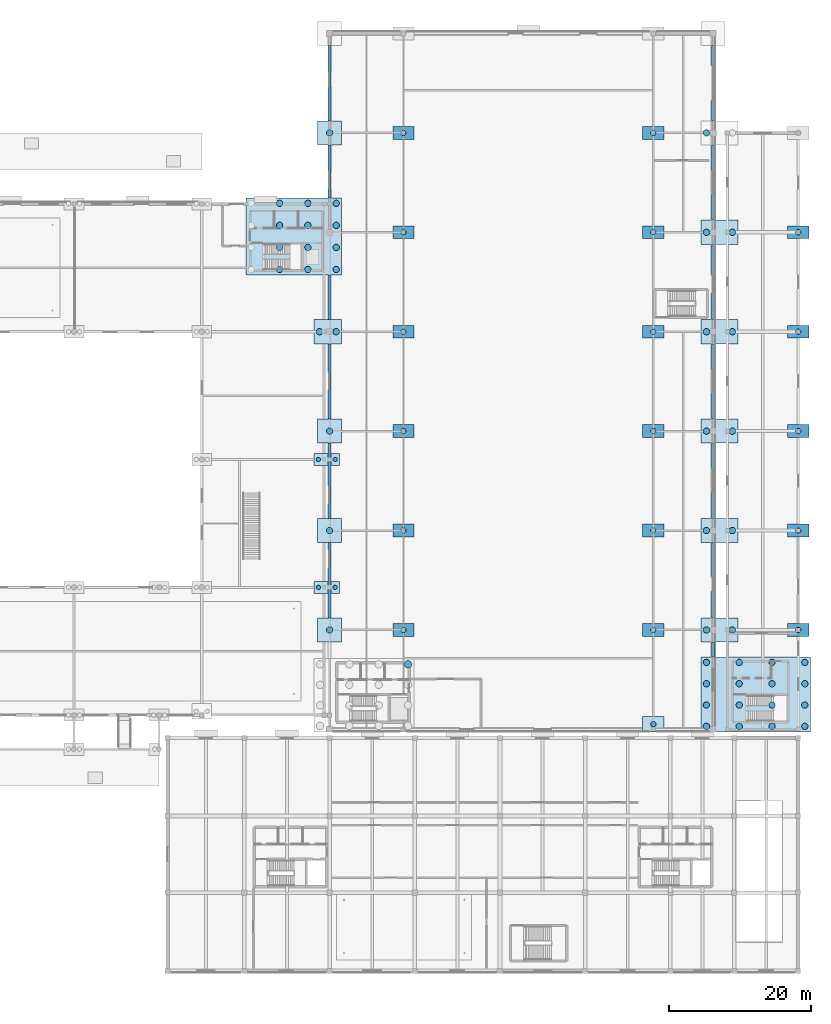
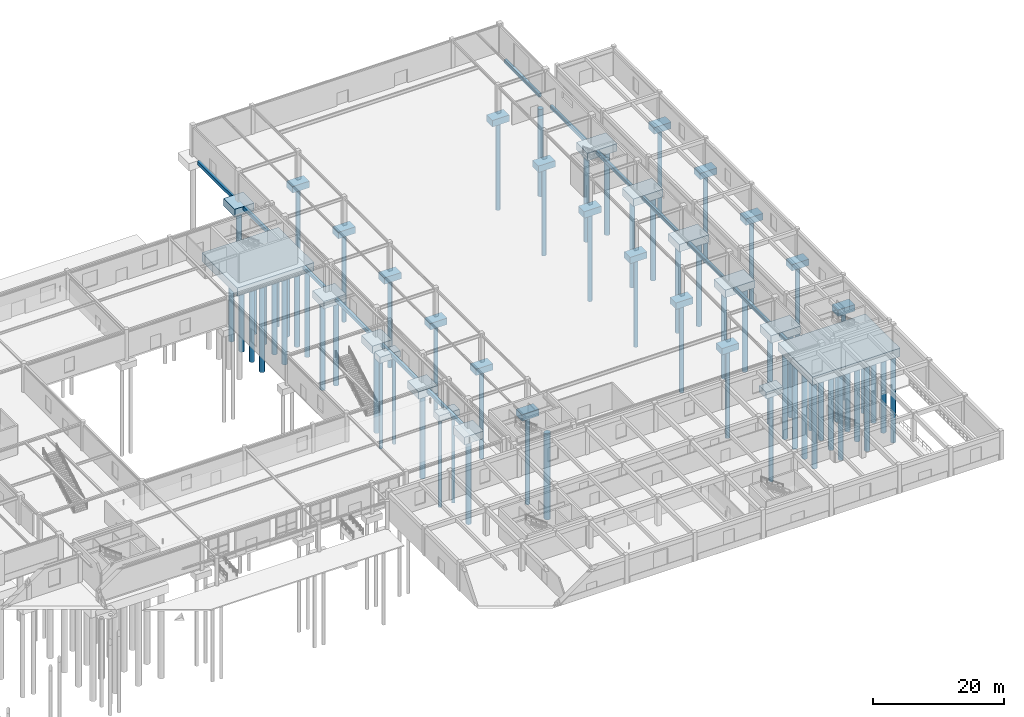
# One storey, part 4 of 53: 68 piles, 45 footings.
"""IFC4 building model written with IfcOpenShell, lengths in metres."""

import ifcopenshell
import ifcopenshell.guid

model = None  # the IFC model being written
_history = None  # IfcOwnerHistory: only IFC2X3 demands one
_inside = {}  # id of a spatial element -> (the spatial element, [elements in it])
_under = {}  # id of a project, library or spatial element -> (it, [spatial elements below it])
_declared = {}  # id of a project -> (the project, [libraries it declares])
_typed = {}  # id of a type object -> (the type object, [elements of that type])
_made_of = {}  # id of a material, layer set ... -> (it, [elements and type objects made of it])


def new_model(schema):
    """Start an empty IFC model of exactly this schema.

    Asked for "IFC4X3", IfcOpenShell would pick the latest addendum, in which some entities
    have other attributes; the version numbers below select the first issue.
    IFC2X3 requires an IfcOwnerHistory on every rooted entity: one is made here for all.
    """
    global model, _history
    if schema == "IFC4X3":
        model = ifcopenshell.file(schema_version=(4, 3, 0, 0))
    else:
        model = ifcopenshell.file(schema=schema)
    _inside.clear()
    _under.clear()
    _declared.clear()
    _typed.clear()
    _made_of.clear()
    _history = None
    if model.schema == "IFC2X3":
        org = make("IfcOrganization", Name="unknown")
        user = make(
            "IfcPersonAndOrganization",
            ThePerson=make("IfcPerson", FamilyName="unknown"),
            TheOrganization=org,
        )
        app = make(
            "IfcApplication",
            ApplicationDeveloper=org,
            Version="unknown",
            ApplicationFullName="unknown",
            ApplicationIdentifier="unknown",
        )
        _history = make(
            "IfcOwnerHistory",
            OwningUser=user,
            OwningApplication=app,
            ChangeAction="ADDED",
            CreationDate=0,
        )
    return model


def make(cls, **values):
    """One entity of the class cls with the attributes given. An attribute that is None is left unset."""
    return model.create_entity(
        cls, **{name: value for name, value in values.items() if value is not None}
    )


def rooted(cls, **values):
    """An entity with a GlobalId (a new one), such as an element, a storey or a relation."""
    return make(cls, GlobalId=ifcopenshell.guid.new(), OwnerHistory=_history, **values)


def si_unit(unit_type, name, prefix=None):
    """IfcSIUnit, for example si_unit("LENGTHUNIT", "METRE", prefix="MILLI")."""
    return make("IfcSIUnit", UnitType=unit_type, Prefix=prefix, Name=name)


def derived_unit(unit_type, elements):
    """IfcDerivedUnit: a product of units, each with its exponent."""
    return make(
        "IfcDerivedUnit",
        Elements=[
            make("IfcDerivedUnitElement", Unit=unit, Exponent=power)
            for unit, power in elements
        ],
        UnitType=unit_type,
    )


def assignment(units):
    """IfcUnitAssignment: the units of a project."""
    return None if units is None else make("IfcUnitAssignment", Units=units)


def point(xyz):
    """IfcCartesianPoint."""
    return None if xyz is None else make("IfcCartesianPoint", Coordinates=xyz)


def direction(xyz):
    """IfcDirection."""
    return None if xyz is None else make("IfcDirection", DirectionRatios=xyz)


def frame(location, z_axis=None, x_axis=None):
    """IfcAxis2Placement3D, a coordinate frame: its origin and axes. An axis left out is left unset."""
    return make(
        "IfcAxis2Placement3D",
        Location=point(location),
        Axis=direction(z_axis),
        RefDirection=direction(x_axis),
    )


def frame_2d(location, x_axis=None):
    """IfcAxis2Placement2D, a coordinate frame in the plane: its origin and x axis."""
    return make(
        "IfcAxis2Placement2D", Location=point(location), RefDirection=direction(x_axis)
    )


def origin():
    """The frame at (0, 0, 0) with its axes left unset."""
    return frame((0.0, 0.0, 0.0))


def origin_2d():
    """The frame at (0, 0) in the plane with its x axis left unset."""
    return frame_2d((0.0, 0.0))


def place(relative_to, where):
    """IfcLocalPlacement: puts the frame where relative to a parent placement (None: the world)."""
    return make(
        "IfcLocalPlacement", PlacementRelTo=relative_to, RelativePlacement=where
    )


def context(
    kind, dimensions, precision=None, world=None, true_north=None, identifier=None
):
    """IfcGeometricRepresentationContext, for example the 3D "Model" context."""
    return make(
        "IfcGeometricRepresentationContext",
        ContextIdentifier=identifier,
        ContextType=kind,
        CoordinateSpaceDimension=dimensions,
        Precision=precision,
        WorldCoordinateSystem=world,
        TrueNorth=true_north,
    )


def subcontext(parent, identifier, kind, view, scale=None):
    """IfcGeometricRepresentationSubContext, for example "Body" below "Model"."""
    return make(
        "IfcGeometricRepresentationSubContext",
        ContextIdentifier=identifier,
        ContextType=kind,
        ParentContext=parent,
        TargetScale=scale,
        TargetView=view,
    )


def project(units=None, contexts=None):
    """IfcProject with its units and contexts."""
    return rooted(
        "IfcProject",
        Name="project",
        RepresentationContexts=contexts,
        UnitsInContext=assignment(units),
    )


def spatial(cls, under=None, at=None, **own):
    """A site, building, storey or space (cls), placed at a placement, below another one or the project."""
    s = rooted(cls, ObjectPlacement=at, **own)
    if under is not None:
        _under.setdefault(under.id(), (under, []))[1].append(s)
    return s


def polyline(points):
    """IfcPolyline through the points."""
    return make("IfcPolyline", Points=[point(p) for p in points])


def profile(cls, at=None, kind="AREA", **sizes):
    """A parametric profile (cls). Its sizes go by their IFC names, for example OverallWidth=200.0."""
    return make(cls, ProfileType=kind, Position=at, **sizes)


def rectangle(**sizes):
    """IfcRectangleProfileDef."""
    return profile("IfcRectangleProfileDef", **sizes)


def circle(**sizes):
    """IfcCircleProfileDef."""
    return profile("IfcCircleProfileDef", **sizes)


def outline(outer, holes=None, kind="AREA"):
    """IfcArbitraryClosedProfileDef: a profile drawn as a closed curve; with holes, ...WithVoids."""
    if holes is None:
        return make("IfcArbitraryClosedProfileDef", ProfileType=kind, OuterCurve=outer)
    return make(
        "IfcArbitraryProfileDefWithVoids",
        ProfileType=kind,
        OuterCurve=outer,
        InnerCurves=holes,
    )


def extrude(swept, where, along, depth):
    """IfcExtrudedAreaSolid: the profile swept, set in the frame where, extruded along a direction by depth."""
    return make(
        "IfcExtrudedAreaSolid",
        SweptArea=swept,
        Position=where,
        ExtrudedDirection=direction(along),
        Depth=depth,
    )


def shape(context_of_items, identifier, shape_type, items):
    """IfcShapeRepresentation: the items that make up one representation, for example the "Body"."""
    return make(
        "IfcShapeRepresentation",
        ContextOfItems=context_of_items,
        RepresentationIdentifier=identifier,
        RepresentationType=shape_type,
        Items=items,
    )


def material(Name=None, Category=None):
    """IfcMaterial."""
    return make("IfcMaterial", Name=Name, Category=Category)


def layer(
    of_material, thickness, ventilated=None, Name=None, Category=None, Priority=None
):
    """IfcMaterialLayer: one layer of a wall or slab, of a material (None: an air gap)."""
    return make(
        "IfcMaterialLayer",
        Material=of_material,
        LayerThickness=thickness,
        IsVentilated=ventilated,
        Name=Name,
        Category=Category,
        Priority=Priority,
    )


def layer_set(layers, Name=None):
    """IfcMaterialLayerSet."""
    return make("IfcMaterialLayerSet", MaterialLayers=layers, LayerSetName=Name)


def material_profile(
    of_material, cross_section, Name=None, Category=None, Priority=None
):
    """IfcMaterialProfile: a cross section and its material."""
    return make(
        "IfcMaterialProfile",
        Name=Name,
        Material=of_material,
        Profile=cross_section,
        Priority=Priority,
        Category=Category,
    )


def profile_set(profiles, Name=None, composite=None):
    """IfcMaterialProfileSet."""
    return make(
        "IfcMaterialProfileSet",
        Name=Name,
        MaterialProfiles=profiles,
        CompositeProfile=composite,
    )


def made_of(thing, what):
    """Note that an element or type object is made of a material, layer set ...; save() writes the relation."""
    if what is not None:
        _made_of.setdefault(what.id(), (what, []))[1].append(thing)
    return thing


def type_object(cls, material=None, **own):
    """A type object (cls), such as IfcWallType, which elements share."""
    return made_of(rooted(cls, **own), material)


def element(
    cls,
    number,
    at=None,
    inside=None,
    cuts=None,
    type_object=None,
    material=None,
    context=None,
    identifier="Body",
    shape_type=None,
    held_by="IfcProductDefinitionShape",
    body=None,
    shapes=None,
    **own,
):
    """One element of the class cls, such as IfcWall. Its Tag is "e" and its number.

    at: its placement. inside: the storey or other place that contains it. cuts: it is an
    opening in that element (IfcRelVoidsElement). A single representation is given by context,
    identifier, shape_type and body (its items); several are given by shapes. held_by: the class
    of the entity that holds the representations. save() writes the other relations.
    """
    e = rooted(cls, Tag="e%d" % number, ObjectPlacement=at, **own)
    if body is not None:
        shapes = [shape(context, identifier, shape_type, body)]
    if shapes is not None:
        e.Representation = make(held_by, Representations=shapes)
    if inside is not None:
        _inside.setdefault(inside.id(), (inside, []))[1].append(e)
    if cuts is not None:
        rooted(
            "IfcRelVoidsElement", RelatingBuildingElement=cuts, RelatedOpeningElement=e
        )
    if type_object is not None:
        _typed.setdefault(type_object.id(), (type_object, []))[1].append(e)
    return made_of(e, material)


def aggregate(whole, parts):
    """IfcRelAggregates: a whole, such as a stair, and the parts it consists of."""
    return rooted("IfcRelAggregates", RelatingObject=whole, RelatedObjects=parts)


def save(model, path):
    """Write the relations noted so far, then the file.

    IfcRelAggregates (storeys below a building ...), IfcRelContainedInSpatialStructure (elements
    in a storey), IfcRelDefinesByType, IfcRelAssociatesMaterial and IfcRelDeclares: one each for
    every whole, place, type object, material and project.
    """
    for whole, parts in _under.values():
        aggregate(whole, parts)
    for where, things in _inside.values():
        rooted(
            "IfcRelContainedInSpatialStructure",
            RelatedElements=things,
            RelatingStructure=where,
        )
    for kind, things in _typed.values():
        rooted("IfcRelDefinesByType", RelatedObjects=things, RelatingType=kind)
    for what, things in _made_of.values():
        rooted("IfcRelAssociatesMaterial", RelatedObjects=things, RelatingMaterial=what)
    for by, libraries in _declared.values():
        rooted("IfcRelDeclares", RelatingContext=by, RelatedDefinitions=libraries)
    model.write(path)


model = new_model("IFC4")

# Units and contexts
model_context = context("Model", 3, precision=1e-05, world=origin(), true_north=direction((0.0, 1.0)))
body_context = subcontext(model_context, "Body", "Model", "MODEL_VIEW")
ifc_project = project(units=[si_unit("LENGTHUNIT", "METRE"), si_unit("AREAUNIT", "SQUARE_METRE"), si_unit("VOLUMEUNIT", "CUBIC_METRE"), si_unit("PLANEANGLEUNIT", "RADIAN"), si_unit("MASSUNIT", "GRAM", prefix="KILO"), derived_unit("THERMALTRANSMITTANCEUNIT", [(si_unit("POWERUNIT", "WATT"), 1), (si_unit("LENGTHUNIT", "METRE"), -2), (si_unit("THERMODYNAMICTEMPERATUREUNIT", "KELVIN"), -1)])], contexts=[model_context])

# Site, building, storey
site_placement = place(None, origin())
site = spatial("IfcSite", under=ifc_project, at=site_placement, CompositionType="ELEMENT")
building_placement = place(site_placement, origin())
building = spatial("IfcBuilding", under=site, at=building_placement, Name="Almenara Railside Exhibition Hall", CompositionType="ELEMENT")
storey_placement = place(building_placement, origin())
storey = spatial("IfcBuildingStorey", under=building, at=storey_placement, Name="L00", CompositionType="ELEMENT", Elevation=0.0)

# Footings
ifc_material_1 = material(Name="Concrete C40/50", Category="concrete")
ifc_layer_1 = layer(ifc_material_1, 1.14990234375, Name="Concrete C40/50")
ifc_layer_set_1 = layer_set([ifc_layer_1], Name="Concrete C40/50")
footing_type_1 = type_object("IfcFootingType", Name="Arcade Two-Pile Cap 2800x1700x1150 C40/50", PredefinedType="PILE_CAP", material=ifc_layer_set_1)
footing_1_placement = place(storey_placement, frame((0.0, 0.0, -1.590087890625)))
element("IfcFooting", 1, at=footing_1_placement, inside=storey, type_object=footing_type_1, Name="Pile cap PC-2A-106", PredefinedType="PILE_CAP", context=body_context, shape_type="SweptSolid", body=[
    extrude(outline(polyline([(135.800048828125, 53.14990234375), (139.39990234375, 53.14990234375), (139.39990234375, 54.85009765625), (135.800048828125, 54.85009765625), (135.800048828125, 53.14990234375)])), origin(), (0.0, 0.0, 1.0), 1.150146484375),
])
footing_2_placement = place(storey_placement, frame((0.0, 0.0, -1.590087890625)))
element("IfcFooting", 2, at=footing_2_placement, inside=storey, type_object=footing_type_1, Name="Pile cap PC-2A-107", PredefinedType="PILE_CAP", context=body_context, shape_type="SweptSolid", body=[
    extrude(outline(polyline([(135.800048828125, 71.14990234375), (139.39990234375, 71.14990234375), (139.39990234375, 72.85009765625), (135.800048828125, 72.85009765625), (135.800048828125, 71.14990234375)])), origin(), (0.0, 0.0, 1.0), 1.150146484375),
])

# Piles
ifc_material_profile_1 = material_profile(ifc_material_1, circle(Radius=0.52490234375, at=origin_2d()), Name="CFA-PILE D1050")
ifc_profile_set_1 = profile_set([ifc_material_profile_1], Name="Concrete C40/50")
pile_type_1 = type_object("IfcPileType", Name="CFA Bored Pile D1050 C40/50", PredefinedType="BORED", material=ifc_profile_set_1)
pile_placement = place(storey_placement, frame((149.054931640625, 43.155029296875, -1.989990234375), z_axis=(0.0, 0.0, -1.0), x_axis=(1.0, 0.0, 0.0)))
element("IfcPile", 3, at=pile_placement, inside=storey, type_object=pile_type_1, Name="Bored pile 0048", PredefinedType="BORED", context=body_context, shape_type="SweptSolid", body=[
    extrude(circle(Radius=0.52490234375, at=origin_2d()), origin(), (0.0, 0.0, 1.0), 16.010009765625),
])
ifc_material_profile_2 = material_profile(ifc_material_1, circle(Radius=0.300048828125, at=origin_2d()), Name="CFA-PILE D600")
ifc_profile_set_2 = profile_set([ifc_material_profile_2], Name="Concrete C40/50")
pile_type_2 = type_object("IfcPileType", Name="CFA Bored Pile D600 C40/50", PredefinedType="BORED", material=ifc_profile_set_2)
for number, where, z_axis, x_axis, name in (
    (4, (136.419921875, 54.0, -1.489990234375), (0.0, 0.0, -1.0), (1.0, 0.0, 0.0), "Bored pile 0293"),
    (5, (138.780029296875, 54.0, -1.489990234375), (0.0, 0.0, -1.0), (1.0, 0.0, 0.0), "Bored pile 0294"),
    (6, (136.419921875, 72.0, -1.489990234375), (0.0, 0.0, -1.0), (1.0, 0.0, 0.0), "Bored pile 0295"),
    (7, (138.780029296875, 72.0, -1.489990234375), (0.0, 0.0, -1.0), (1.0, 0.0, 0.0), "Bored pile 0296"),
):
    element("IfcPile", number, at=place(storey_placement, frame(where, z_axis=z_axis, x_axis=x_axis)), inside=storey, type_object=pile_type_2, Name=name, PredefinedType="BORED", context=body_context, shape_type="SweptSolid", body=[
        extrude(circle(Radius=0.300048828125, at=origin_2d()), origin(), (0.0, 0.0, 1.0), 16.510009765625),
    ])
ifc_material_profile_3 = material_profile(ifc_material_1, circle(Radius=0.375, at=origin_2d()), Name="CFA-PILE D750")
ifc_profile_set_3 = profile_set([ifc_material_profile_3], Name="Concrete C40/50")
pile_type_3 = type_object("IfcPileType", Name="CFA Bored Pile D750 C40/50", PredefinedType="BORED", material=ifc_profile_set_3)
for number, where, z_axis, x_axis, name in (
    (8, (183.60009765625, 34.72509765625, -1.5400390625), (0.0, 0.0, -1.0), (1.0, 0.0, 0.0), "Bored pile 0168"),
    (9, (148.39990234375, 48.0, -1.5400390625), (0.0, 0.0, -1.0), (1.0, 0.0, 0.0), "Bored pile 0172"),
    (10, (183.60009765625, 48.0, -1.5400390625), (0.0, 0.0, -1.0), (1.0, 0.0, 0.0), "Bored pile 0173"),
    (11, (148.39990234375, 62.0, -1.5400390625), (0.0, 0.0, -1.0), (1.0, 0.0, 0.0), "Bored pile 0177"),
    (12, (183.60009765625, 62.0, -1.5400390625), (0.0, 0.0, -1.0), (1.0, 0.0, 0.0), "Bored pile 0178"),
    (13, (148.39990234375, 76.0, -1.5400390625), (0.0, 0.0, -1.0), (1.0, 0.0, 0.0), "Bored pile 0182"),
    (14, (183.60009765625, 76.0, -1.5400390625), (0.0, 0.0, -1.0), (1.0, 0.0, 0.0), "Bored pile 0183"),
    (15, (148.39990234375, 90.0, -1.5400390625), (0.0, 0.0, -1.0), (1.0, 0.0, 0.0), "Bored pile 0188"),
    (16, (183.60009765625, 90.0, -1.5400390625), (0.0, 0.0, -1.0), (1.0, 0.0, 0.0), "Bored pile 0189"),
    (17, (148.39990234375, 104.0, -1.5400390625), (0.0, 0.0, -1.0), (1.0, 0.0, 0.0), "Bored pile 0192"),
    (18, (183.60009765625, 104.0, -1.5400390625), (0.0, 0.0, -1.0), (1.0, 0.0, 0.0), "Bored pile 0193"),
    (19, (148.39990234375, 118.0, -1.5400390625), (0.0, 0.0, -1.0), (1.0, 0.0, 0.0), "Bored pile 0197"),
    (20, (183.60009765625, 118.0, -1.5400390625), (0.0, 0.0, -1.0), (1.0, 0.0, 0.0), "Bored pile 0198"),
    (21, (204.0, 48.0, -1.5400390625), (0.0, 0.0, -1.0), (1.0, 0.0, 0.0), "Bored pile 0416"),
    (22, (204.0, 62.0, -1.5400390625), (0.0, 0.0, -1.0), (1.0, 0.0, 0.0), "Bored pile 0417"),
    (23, (204.0, 76.0, -1.5400390625), (0.0, 0.0, -1.0), (1.0, 0.0, 0.0), "Bored pile 0418"),
    (24, (204.0, 90.0, -1.5400390625), (0.0, 0.0, -1.0), (1.0, 0.0, 0.0), "Bored pile 0419"),
    (25, (204.0, 104.0, -1.5400390625), (0.0, 0.0, -1.0), (1.0, 0.0, 0.0), "Bored pile 0420"),
):
    element("IfcPile", number, at=place(storey_placement, frame(where, z_axis=z_axis, x_axis=x_axis)), inside=storey, type_object=pile_type_3, Name=name, PredefinedType="BORED", context=body_context, shape_type="SweptSolid", body=[
        extrude(circle(Radius=0.375, at=origin_2d()), origin(), (0.0, 0.0, 1.0), 16.4599609375),
    ])
ifc_material_profile_4 = material_profile(ifc_material_1, circle(Radius=0.449951171875, at=origin_2d()), Name="CFA-PILE D900")
ifc_profile_set_4 = profile_set([ifc_material_profile_4], Name="Concrete C40/50")
pile_type_4 = type_object("IfcPileType", Name="CFA Bored Pile D900 C40/50", PredefinedType="BORED", material=ifc_profile_set_4)
for number, where, z_axis, x_axis, name in (
    (26, (130.95703125, 98.77001953125, -1.889892578125), (0.0, 0.0, -1.0), (1.0, 0.0, 0.0), "Bored pile 0117"),
    (27, (130.95703125, 101.873046875, -1.889892578125), (0.0, 0.0, -1.0), (1.0, 0.0, 0.0), "Bored pile 0118"),
    (28, (130.95703125, 104.97705078125, -1.889892578125), (0.0, 0.0, -1.0), (1.0, 0.0, 0.0), "Bored pile 0119"),
    (29, (130.95703125, 108.080078125, -1.889892578125), (0.0, 0.0, -1.0), (1.0, 0.0, 0.0), "Bored pile 0120"),
    (30, (134.943115234375, 98.77001953125, -1.889892578125), (0.0, 0.0, -1.0), (1.0, 0.0, 0.0), "Bored pile 0121"),
    (31, (134.943115234375, 101.873046875, -1.889892578125), (0.0, 0.0, -1.0), (1.0, 0.0, 0.0), "Bored pile 0122"),
    (32, (134.943115234375, 104.97705078125, -1.889892578125), (0.0, 0.0, -1.0), (1.0, 0.0, 0.0), "Bored pile 0123"),
    (33, (134.943115234375, 108.080078125, -1.889892578125), (0.0, 0.0, -1.0), (1.0, 0.0, 0.0), "Bored pile 0124"),
    (34, (138.929931640625, 98.77001953125, -1.889892578125), (0.0, 0.0, -1.0), (1.0, 0.0, 0.0), "Bored pile 0125"),
    (35, (138.929931640625, 101.873046875, -1.889892578125), (0.0, 0.0, -1.0), (1.0, 0.0, 0.0), "Bored pile 0126"),
    (36, (138.929931640625, 104.97705078125, -1.889892578125), (0.0, 0.0, -1.0), (1.0, 0.0, 0.0), "Bored pile 0127"),
    (37, (138.929931640625, 108.080078125, -1.889892578125), (0.0, 0.0, -1.0), (1.0, 0.0, 0.0), "Bored pile 0128"),
    (38, (191.070068359375, 34.419921875, -1.889892578125), (0.0, 0.0, -1.0), (1.0, 0.0, 0.0), "Bored pile 0129"),
    (39, (191.070068359375, 37.423095703125, -1.889892578125), (0.0, 0.0, -1.0), (1.0, 0.0, 0.0), "Bored pile 0130"),
    (40, (191.070068359375, 40.427001953125, -1.889892578125), (0.0, 0.0, -1.0), (1.0, 0.0, 0.0), "Bored pile 0131"),
    (41, (191.070068359375, 43.429931640625, -1.889892578125), (0.0, 0.0, -1.0), (1.0, 0.0, 0.0), "Bored pile 0132"),
    (42, (195.68994140625, 34.419921875, -1.889892578125), (0.0, 0.0, -1.0), (1.0, 0.0, 0.0), "Bored pile 0133"),
    (43, (195.68994140625, 37.423095703125, -1.889892578125), (0.0, 0.0, -1.0), (1.0, 0.0, 0.0), "Bored pile 0134"),
    (44, (195.68994140625, 40.427001953125, -1.889892578125), (0.0, 0.0, -1.0), (1.0, 0.0, 0.0), "Bored pile 0135"),
    (45, (195.68994140625, 43.429931640625, -1.889892578125), (0.0, 0.0, -1.0), (1.0, 0.0, 0.0), "Bored pile 0136"),
    (46, (200.31005859375, 34.419921875, -1.889892578125), (0.0, 0.0, -1.0), (1.0, 0.0, 0.0), "Bored pile 0137"),
    (47, (200.31005859375, 37.423095703125, -1.889892578125), (0.0, 0.0, -1.0), (1.0, 0.0, 0.0), "Bored pile 0138"),
    (48, (200.31005859375, 40.427001953125, -1.889892578125), (0.0, 0.0, -1.0), (1.0, 0.0, 0.0), "Bored pile 0139"),
    (49, (200.31005859375, 43.429931640625, -1.889892578125), (0.0, 0.0, -1.0), (1.0, 0.0, 0.0), "Bored pile 0140"),
    (50, (204.929931640625, 34.419921875, -1.889892578125), (0.0, 0.0, -1.0), (1.0, 0.0, 0.0), "Bored pile 0141"),
    (51, (204.929931640625, 37.423095703125, -1.889892578125), (0.0, 0.0, -1.0), (1.0, 0.0, 0.0), "Bored pile 0142"),
    (52, (204.929931640625, 40.427001953125, -1.889892578125), (0.0, 0.0, -1.0), (1.0, 0.0, 0.0), "Bored pile 0143"),
    (53, (204.929931640625, 43.429931640625, -1.889892578125), (0.0, 0.0, -1.0), (1.0, 0.0, 0.0), "Bored pile 0144"),
):
    element("IfcPile", number, at=place(storey_placement, frame(where, z_axis=z_axis, x_axis=x_axis)), inside=storey, type_object=pile_type_4, Name=name, PredefinedType="BORED", context=body_context, shape_type="SweptSolid", body=[
        extrude(circle(Radius=0.449951171875, at=origin_2d()), origin(), (0.0, 0.0, 1.0), 16.110107421875),
    ])
for number, where, z_axis, x_axis, name in (
    (54, (138.0, 48.0, -1.739990234375), (0.0, 0.0, -1.0), (1.0, 0.0, 0.0), "Bored pile 0169"),
    (55, (191.070068359375, 48.0, -1.739990234375), (0.0, 0.0, -1.0), (1.0, 0.0, 0.0), "Bored pile 0170"),
    (56, (194.72998046875, 48.0, -1.739990234375), (0.0, 0.0, -1.0), (1.0, 0.0, 0.0), "Bored pile 0171"),
    (57, (138.0, 62.0, -1.739990234375), (0.0, 0.0, -1.0), (1.0, 0.0, 0.0), "Bored pile 0174"),
    (58, (191.070068359375, 62.0, -1.739990234375), (0.0, 0.0, -1.0), (1.0, 0.0, 0.0), "Bored pile 0175"),
    (59, (194.72998046875, 62.0, -1.739990234375), (0.0, 0.0, -1.0), (1.0, 0.0, 0.0), "Bored pile 0176"),
    (60, (138.0, 76.0, -1.739990234375), (0.0, 0.0, -1.0), (1.0, 0.0, 0.0), "Bored pile 0179"),
    (61, (191.070068359375, 76.0, -1.739990234375), (0.0, 0.0, -1.0), (1.0, 0.0, 0.0), "Bored pile 0180"),
    (62, (194.72998046875, 76.0, -1.739990234375), (0.0, 0.0, -1.0), (1.0, 0.0, 0.0), "Bored pile 0181"),
    (63, (136.570068359375, 90.0, -1.739990234375), (0.0, 0.0, -1.0), (1.0, 0.0, 0.0), "Bored pile 0184"),
    (64, (138.929931640625, 90.0, -1.739990234375), (0.0, 0.0, -1.0), (1.0, 0.0, 0.0), "Bored pile 0185"),
    (65, (191.070068359375, 90.0, -1.739990234375), (0.0, 0.0, -1.0), (1.0, 0.0, 0.0), "Bored pile 0186"),
    (66, (194.72998046875, 90.0, -1.739990234375), (0.0, 0.0, -1.0), (1.0, 0.0, 0.0), "Bored pile 0187"),
    (67, (191.070068359375, 104.0, -1.739990234375), (0.0, 0.0, -1.0), (1.0, 0.0, 0.0), "Bored pile 0190"),
    (68, (194.72998046875, 104.0, -1.739990234375), (0.0, 0.0, -1.0), (1.0, 0.0, 0.0), "Bored pile 0191"),
    (69, (138.0, 118.0, -1.739990234375), (0.0, 0.0, -1.0), (1.0, 0.0, 0.0), "Bored pile 0194"),
    (70, (191.070068359375, 118.0, -1.739990234375), (0.0, 0.0, -1.0), (1.0, 0.0, 0.0), "Bored pile 0195"),
):
    element("IfcPile", number, at=place(storey_placement, frame(where, z_axis=z_axis, x_axis=x_axis)), inside=storey, type_object=pile_type_4, Name=name, PredefinedType="BORED", context=body_context, shape_type="SweptSolid", body=[
        extrude(circle(Radius=0.449951171875, at=origin_2d()), origin(), (0.0, 0.0, 1.0), 16.260009765625),
    ])

# Footings
ifc_layer_2 = layer(ifc_material_1, 1.550048828125, Name="Concrete C40/50")
ifc_layer_set_2 = layer_set([ifc_layer_2], Name="Concrete C40/50")
footing_type_2 = type_object("IfcFootingType", Name="Core Six-Pile Cap 9400x9000x1550 C40/50", PredefinedType="PILE_CAP", material=ifc_layer_set_2)
footing_3_placement = place(storey_placement, frame((0.0, 0.0, -1.989990234375)))
element("IfcFooting", 71, at=footing_3_placement, inside=storey, type_object=footing_type_2, Name="Pile cap PC-6A-008", PredefinedType="PILE_CAP", context=body_context, shape_type="SweptSolid", body=[
    extrude(outline(polyline([(126.199951171875, 98.0), (139.699951171875, 98.0), (139.699951171875, 108.85009765625), (126.199951171875, 108.85009765625), (126.199951171875, 98.0)])), origin(), (0.0, 0.0, 1.0), 1.550048828125),
])
footing_4_placement = place(storey_placement, frame((0.0, 0.0, -1.989990234375)))
element("IfcFooting", 72, at=footing_4_placement, inside=storey, type_object=footing_type_2, Name="Pile cap PC-6A-009", PredefinedType="PILE_CAP", context=body_context, shape_type="SweptSolid", body=[
    extrude(outline(polyline([(190.300048828125, 33.64990234375), (205.699951171875, 33.64990234375), (205.699951171875, 44.199951171875), (190.300048828125, 44.199951171875), (190.300048828125, 33.64990234375)])), origin(), (0.0, 0.0, 1.0), 1.550048828125),
])
ifc_layer_3 = layer(ifc_material_1, 1.199951171875, Name="Concrete C40/50")
ifc_layer_set_3 = layer_set([ifc_layer_3], Name="Concrete C40/50")
footing_type_3 = type_object("IfcFootingType", Name="Gallery Two-Pile Cap 3000x1800x1200 C40/50", PredefinedType="PILE_CAP", material=ifc_layer_set_3)
footing_5_placement = place(storey_placement, frame((0.0, 0.0, -1.639892578125)))
element("IfcFooting", 73, at=footing_5_placement, inside=storey, type_object=footing_type_3, Name="Pile cap PC-2G-033", PredefinedType="PILE_CAP", context=body_context, shape_type="SweptSolid", body=[
    extrude(outline(polyline([(182.10009765625, 33.64990234375), (185.10009765625, 33.64990234375), (185.10009765625, 35.800048828125), (182.10009765625, 35.800048828125), (182.10009765625, 33.64990234375)])), origin(), (0.0, 0.0, 1.0), 1.199951171875),
])
footing_6_placement = place(storey_placement, frame((0.0, 0.0, -1.639892578125)))
element("IfcFooting", 74, at=footing_6_placement, inside=storey, type_object=footing_type_3, Name="Pile cap PC-2G-036", PredefinedType="PILE_CAP", context=body_context, shape_type="SweptSolid", body=[
    extrude(outline(polyline([(146.89990234375, 47.10009765625), (149.89990234375, 47.10009765625), (149.89990234375, 48.89990234375), (146.89990234375, 48.89990234375), (146.89990234375, 47.10009765625)])), origin(), (0.0, 0.0, 1.0), 1.199951171875),
])
footing_7_placement = place(storey_placement, frame((0.0, 0.0, -1.639892578125)))
element("IfcFooting", 75, at=footing_7_placement, inside=storey, type_object=footing_type_3, Name="Pile cap PC-2G-037", PredefinedType="PILE_CAP", context=body_context, shape_type="SweptSolid", body=[
    extrude(outline(polyline([(182.10009765625, 47.10009765625), (185.10009765625, 47.10009765625), (185.10009765625, 48.89990234375), (182.10009765625, 48.89990234375), (182.10009765625, 47.10009765625)])), origin(), (0.0, 0.0, 1.0), 1.199951171875),
])
footing_8_placement = place(storey_placement, frame((0.0, 0.0, -1.639892578125)))
element("IfcFooting", 76, at=footing_8_placement, inside=storey, type_object=footing_type_3, Name="Pile cap PC-2G-040", PredefinedType="PILE_CAP", context=body_context, shape_type="SweptSolid", body=[
    extrude(outline(polyline([(146.89990234375, 61.10009765625), (149.89990234375, 61.10009765625), (149.89990234375, 62.89990234375), (146.89990234375, 62.89990234375), (146.89990234375, 61.10009765625)])), origin(), (0.0, 0.0, 1.0), 1.199951171875),
])
footing_9_placement = place(storey_placement, frame((0.0, 0.0, -1.639892578125)))
element("IfcFooting", 77, at=footing_9_placement, inside=storey, type_object=footing_type_3, Name="Pile cap PC-2G-041", PredefinedType="PILE_CAP", context=body_context, shape_type="SweptSolid", body=[
    extrude(outline(polyline([(182.10009765625, 61.10009765625), (185.10009765625, 61.10009765625), (185.10009765625, 62.89990234375), (182.10009765625, 62.89990234375), (182.10009765625, 61.10009765625)])), origin(), (0.0, 0.0, 1.0), 1.199951171875),
])
footing_10_placement = place(storey_placement, frame((0.0, 0.0, -1.639892578125)))
element("IfcFooting", 78, at=footing_10_placement, inside=storey, type_object=footing_type_3, Name="Pile cap PC-2G-044", PredefinedType="PILE_CAP", context=body_context, shape_type="SweptSolid", body=[
    extrude(outline(polyline([(146.89990234375, 75.10009765625), (149.89990234375, 75.10009765625), (149.89990234375, 76.89990234375), (146.89990234375, 76.89990234375), (146.89990234375, 75.10009765625)])), origin(), (0.0, 0.0, 1.0), 1.199951171875),
])
footing_11_placement = place(storey_placement, frame((0.0, 0.0, -1.639892578125)))
element("IfcFooting", 79, at=footing_11_placement, inside=storey, type_object=footing_type_3, Name="Pile cap PC-2G-045", PredefinedType="PILE_CAP", context=body_context, shape_type="SweptSolid", body=[
    extrude(outline(polyline([(182.10009765625, 75.10009765625), (185.10009765625, 75.10009765625), (185.10009765625, 76.89990234375), (182.10009765625, 76.89990234375), (182.10009765625, 75.10009765625)])), origin(), (0.0, 0.0, 1.0), 1.199951171875),
])
footing_12_placement = place(storey_placement, frame((0.0, 0.0, -1.639892578125)))
element("IfcFooting", 80, at=footing_12_placement, inside=storey, type_object=footing_type_3, Name="Pile cap PC-2G-048", PredefinedType="PILE_CAP", context=body_context, shape_type="SweptSolid", body=[
    extrude(outline(polyline([(146.89990234375, 89.10009765625), (149.89990234375, 89.10009765625), (149.89990234375, 90.89990234375), (146.89990234375, 90.89990234375), (146.89990234375, 89.10009765625)])), origin(), (0.0, 0.0, 1.0), 1.199951171875),
])
footing_13_placement = place(storey_placement, frame((0.0, 0.0, -1.639892578125)))
element("IfcFooting", 81, at=footing_13_placement, inside=storey, type_object=footing_type_3, Name="Pile cap PC-2G-049", PredefinedType="PILE_CAP", context=body_context, shape_type="SweptSolid", body=[
    extrude(outline(polyline([(182.10009765625, 89.10009765625), (185.10009765625, 89.10009765625), (185.10009765625, 90.89990234375), (182.10009765625, 90.89990234375), (182.10009765625, 89.10009765625)])), origin(), (0.0, 0.0, 1.0), 1.199951171875),
])
footing_14_placement = place(storey_placement, frame((0.0, 0.0, -1.639892578125)))
element("IfcFooting", 82, at=footing_14_placement, inside=storey, type_object=footing_type_3, Name="Pile cap PC-2G-051", PredefinedType="PILE_CAP", context=body_context, shape_type="SweptSolid", body=[
    extrude(outline(polyline([(146.89990234375, 103.10009765625), (149.89990234375, 103.10009765625), (149.89990234375, 104.89990234375), (146.89990234375, 104.89990234375), (146.89990234375, 103.10009765625)])), origin(), (0.0, 0.0, 1.0), 1.199951171875),
])
footing_15_placement = place(storey_placement, frame((0.0, 0.0, -1.639892578125)))
element("IfcFooting", 83, at=footing_15_placement, inside=storey, type_object=footing_type_3, Name="Pile cap PC-2G-052", PredefinedType="PILE_CAP", context=body_context, shape_type="SweptSolid", body=[
    extrude(outline(polyline([(182.10009765625, 103.10009765625), (185.10009765625, 103.10009765625), (185.10009765625, 104.89990234375), (182.10009765625, 104.89990234375), (182.10009765625, 103.10009765625)])), origin(), (0.0, 0.0, 1.0), 1.199951171875),
])
footing_16_placement = place(storey_placement, frame((0.0, 0.0, -1.639892578125)))
element("IfcFooting", 84, at=footing_16_placement, inside=storey, type_object=footing_type_3, Name="Pile cap PC-2G-055", PredefinedType="PILE_CAP", context=body_context, shape_type="SweptSolid", body=[
    extrude(outline(polyline([(146.89990234375, 117.10009765625), (149.89990234375, 117.10009765625), (149.89990234375, 118.89990234375), (146.89990234375, 118.89990234375), (146.89990234375, 117.10009765625)])), origin(), (0.0, 0.0, 1.0), 1.199951171875),
])
footing_17_placement = place(storey_placement, frame((0.0, 0.0, -1.639892578125)))
element("IfcFooting", 85, at=footing_17_placement, inside=storey, type_object=footing_type_3, Name="Pile cap PC-2G-056", PredefinedType="PILE_CAP", context=body_context, shape_type="SweptSolid", body=[
    extrude(outline(polyline([(182.10009765625, 117.10009765625), (185.10009765625, 117.10009765625), (185.10009765625, 118.89990234375), (182.10009765625, 118.89990234375), (182.10009765625, 117.10009765625)])), origin(), (0.0, 0.0, 1.0), 1.199951171875),
])
footing_18_placement = place(storey_placement, frame((0.0, 0.0, -1.639892578125)))
element("IfcFooting", 86, at=footing_18_placement, inside=storey, type_object=footing_type_3, Name="Pile cap PC-2G-154", PredefinedType="PILE_CAP", context=body_context, shape_type="SweptSolid", body=[
    extrude(outline(polyline([(202.5, 47.10009765625), (205.5, 47.10009765625), (205.5, 48.89990234375), (202.5, 48.89990234375), (202.5, 47.10009765625)])), origin(), (0.0, 0.0, 1.0), 1.199951171875),
])
footing_19_placement = place(storey_placement, frame((0.0, 0.0, -1.639892578125)))
element("IfcFooting", 87, at=footing_19_placement, inside=storey, type_object=footing_type_3, Name="Pile cap PC-2G-155", PredefinedType="PILE_CAP", context=body_context, shape_type="SweptSolid", body=[
    extrude(outline(polyline([(202.5, 61.10009765625), (205.5, 61.10009765625), (205.5, 62.89990234375), (202.5, 62.89990234375), (202.5, 61.10009765625)])), origin(), (0.0, 0.0, 1.0), 1.199951171875),
])
footing_20_placement = place(storey_placement, frame((0.0, 0.0, -1.639892578125)))
element("IfcFooting", 88, at=footing_20_placement, inside=storey, type_object=footing_type_3, Name="Pile cap PC-2G-156", PredefinedType="PILE_CAP", context=body_context, shape_type="SweptSolid", body=[
    extrude(outline(polyline([(202.5, 75.10009765625), (205.5, 75.10009765625), (205.5, 76.89990234375), (202.5, 76.89990234375), (202.5, 75.10009765625)])), origin(), (0.0, 0.0, 1.0), 1.199951171875),
])
footing_21_placement = place(storey_placement, frame((0.0, 0.0, -1.639892578125)))
element("IfcFooting", 89, at=footing_21_placement, inside=storey, type_object=footing_type_3, Name="Pile cap PC-2G-157", PredefinedType="PILE_CAP", context=body_context, shape_type="SweptSolid", body=[
    extrude(outline(polyline([(202.5, 89.10009765625), (205.5, 89.10009765625), (205.5, 90.89990234375), (202.5, 90.89990234375), (202.5, 89.10009765625)])), origin(), (0.0, 0.0, 1.0), 1.199951171875),
])
footing_22_placement = place(storey_placement, frame((0.0, 0.0, -1.639892578125)))
element("IfcFooting", 90, at=footing_22_placement, inside=storey, type_object=footing_type_3, Name="Pile cap PC-2G-158", PredefinedType="PILE_CAP", context=body_context, shape_type="SweptSolid", body=[
    extrude(outline(polyline([(202.5, 103.10009765625), (205.5, 103.10009765625), (205.5, 104.89990234375), (202.5, 104.89990234375), (202.5, 103.10009765625)])), origin(), (0.0, 0.0, 1.0), 1.199951171875),
])
ifc_material_2 = material(Name="Concrete C35/45", Category="concrete")
ifc_material_profile_5 = material_profile(ifc_material_2, rectangle(XDim=0.449951171875, YDim=0.64990234375, at=origin_2d()), Name="RC-GB 450x650")
ifc_profile_set_5 = profile_set([ifc_material_profile_5], Name="Concrete C35/45")
footing_type_4 = type_object("IfcFootingType", Name="Ground Tie Beam 450x650 C35/45", PredefinedType="FOOTING_BEAM", material=ifc_profile_set_5)
for number, where, z_axis, x_axis, name in (
    (91, (138.0, 49.701904296875, -0.764892578125), (0.0, 1.0, 0.0), (-1.0, 0.0, 0.0), "GB-L00-030"),
    (92, (138.0, 63.701904296875, -0.764892578125), (0.0, 1.0, 0.0), (-1.0, 0.0, 0.0), "GB-L00-031"),
    (93, (138.0, 77.701904296875, -0.764892578125), (0.0, 1.0, 0.0), (-1.0, 0.0, 0.0), "GB-L00-032"),
):
    element("IfcFooting", number, at=place(storey_placement, frame(where, z_axis=z_axis, x_axis=x_axis)), inside=storey, type_object=footing_type_4, Name=name, PredefinedType="FOOTING_BEAM", context=body_context, shape_type="SweptSolid", body=[
        extrude(rectangle(XDim=0.449951171875, YDim=0.64990234375, at=origin_2d()), origin(), (0.0, 0.0, 1.0), 10.59619140625),
    ])
footing_23_placement = place(storey_placement, frame((138.0, 91.701904296875, -0.764892578125), z_axis=(0.0, 1.0, 0.0), x_axis=(-1.0, 0.0, 0.0)))
element("IfcFooting", 94, at=footing_23_placement, inside=storey, type_object=footing_type_4, Name="GB-L00-033", PredefinedType="FOOTING_BEAM", context=body_context, shape_type="SweptSolid", body=[
    extrude(rectangle(XDim=0.449951171875, YDim=0.64990234375, at=origin_2d()), origin(), (0.0, 0.0, 1.0), 6.296142578125),
])
footing_24_placement = place(storey_placement, frame((138.0, 108.85205078125, -0.764892578125), z_axis=(0.0, 1.0, 0.0), x_axis=(-1.0, 0.0, 0.0)))
element("IfcFooting", 95, at=footing_24_placement, inside=storey, type_object=footing_type_4, Name="GB-L00-034", PredefinedType="FOOTING_BEAM", context=body_context, shape_type="SweptSolid", body=[
    extrude(rectangle(XDim=0.449951171875, YDim=0.64990234375, at=origin_2d()), origin(), (0.0, 0.0, 1.0), 7.446044921875),
])
footing_25_placement = place(storey_placement, frame((138.0, 119.701904296875, -0.764892578125), z_axis=(0.0, 1.0, 0.0), x_axis=(-1.0, 0.0, 0.0)))
element("IfcFooting", 96, at=footing_25_placement, inside=storey, type_object=footing_type_4, Name="GB-L00-035", PredefinedType="FOOTING_BEAM", context=body_context, shape_type="SweptSolid", body=[
    extrude(rectangle(XDim=0.449951171875, YDim=0.64990234375, at=origin_2d()), origin(), (0.0, 0.0, 1.0), 10.59619140625),
])
footing_26_placement = place(storey_placement, frame((192.0, 44.201904296875, -0.764892578125), z_axis=(0.0, 1.0, 0.0), x_axis=(-1.0, 0.0, 0.0)))
element("IfcFooting", 97, at=footing_26_placement, inside=storey, type_object=footing_type_4, Name="GB-L00-036", PredefinedType="FOOTING_BEAM", context=body_context, shape_type="SweptSolid", body=[
    extrude(rectangle(XDim=0.449951171875, YDim=0.64990234375, at=origin_2d()), origin(), (0.0, 0.0, 1.0), 2.09619140625),
])
for number, where, z_axis, x_axis, name in (
    (98, (192.0, 49.701904296875, -0.764892578125), (0.0, 1.0, 0.0), (-1.0, 0.0, 0.0), "GB-L00-037"),
    (99, (192.0, 63.701904296875, -0.764892578125), (0.0, 1.0, 0.0), (-1.0, 0.0, 0.0), "GB-L00-038"),
    (100, (192.0, 77.701904296875, -0.764892578125), (0.0, 1.0, 0.0), (-1.0, 0.0, 0.0), "GB-L00-039"),
    (101, (192.0, 91.701904296875, -0.764892578125), (0.0, 1.0, 0.0), (-1.0, 0.0, 0.0), "GB-L00-040"),
    (102, (192.0, 105.701904296875, -0.764892578125), (0.0, 1.0, 0.0), (-1.0, 0.0, 0.0), "GB-L00-041"),
    (103, (192.0, 119.701904296875, -0.764892578125), (0.0, 1.0, 0.0), (-1.0, 0.0, 0.0), "GB-L00-042"),
):
    element("IfcFooting", number, at=place(storey_placement, frame(where, z_axis=z_axis, x_axis=x_axis)), inside=storey, type_object=footing_type_4, Name=name, PredefinedType="FOOTING_BEAM", context=body_context, shape_type="SweptSolid", body=[
        extrude(rectangle(XDim=0.449951171875, YDim=0.64990234375, at=origin_2d()), origin(), (0.0, 0.0, 1.0), 10.59619140625),
    ])
ifc_layer_4 = layer(ifc_material_1, 1.39990234375, Name="Concrete C40/50")
ifc_layer_set_4 = layer_set([ifc_layer_4], Name="Concrete C40/50")
footing_type_5 = type_object("IfcFootingType", Name="Hall Four-Pile Cap 3400x3400x1400 C40/50", PredefinedType="PILE_CAP", material=ifc_layer_set_4)
footing_27_placement = place(storey_placement, frame((0.0, 0.0, -1.840087890625)))
element("IfcFooting", 104, at=footing_27_placement, inside=storey, type_object=footing_type_5, Name="Pile cap PC-4H-034", PredefinedType="PILE_CAP", context=body_context, shape_type="SweptSolid", body=[
    extrude(outline(polyline([(136.300048828125, 46.300048828125), (139.699951171875, 46.300048828125), (139.699951171875, 49.699951171875), (136.300048828125, 49.699951171875), (136.300048828125, 46.300048828125)])), origin(), (0.0, 0.0, 1.0), 1.400146484375),
])
footing_28_placement = place(storey_placement, frame((0.0, 0.0, -1.840087890625)))
element("IfcFooting", 105, at=footing_28_placement, inside=storey, type_object=footing_type_5, Name="Pile cap PC-4H-035", PredefinedType="PILE_CAP", context=body_context, shape_type="SweptSolid", body=[
    extrude(outline(polyline([(190.300048828125, 46.300048828125), (195.5, 46.300048828125), (195.5, 49.699951171875), (190.300048828125, 49.699951171875), (190.300048828125, 46.300048828125)])), origin(), (0.0, 0.0, 1.0), 1.400146484375),
])
footing_29_placement = place(storey_placement, frame((0.0, 0.0, -1.840087890625)))
element("IfcFooting", 106, at=footing_29_placement, inside=storey, type_object=footing_type_5, Name="Pile cap PC-4H-038", PredefinedType="PILE_CAP", context=body_context, shape_type="SweptSolid", body=[
    extrude(outline(polyline([(136.300048828125, 60.300048828125), (139.699951171875, 60.300048828125), (139.699951171875, 63.699951171875), (136.300048828125, 63.699951171875), (136.300048828125, 60.300048828125)])), origin(), (0.0, 0.0, 1.0), 1.400146484375),
])
footing_30_placement = place(storey_placement, frame((0.0, 0.0, -1.840087890625)))
element("IfcFooting", 107, at=footing_30_placement, inside=storey, type_object=footing_type_5, Name="Pile cap PC-4H-039", PredefinedType="PILE_CAP", context=body_context, shape_type="SweptSolid", body=[
    extrude(outline(polyline([(190.300048828125, 60.300048828125), (195.5, 60.300048828125), (195.5, 63.699951171875), (190.300048828125, 63.699951171875), (190.300048828125, 60.300048828125)])), origin(), (0.0, 0.0, 1.0), 1.400146484375),
])
footing_31_placement = place(storey_placement, frame((0.0, 0.0, -1.840087890625)))
element("IfcFooting", 108, at=footing_31_placement, inside=storey, type_object=footing_type_5, Name="Pile cap PC-4H-042", PredefinedType="PILE_CAP", context=body_context, shape_type="SweptSolid", body=[
    extrude(outline(polyline([(136.300048828125, 74.300048828125), (139.699951171875, 74.300048828125), (139.699951171875, 77.699951171875), (136.300048828125, 77.699951171875), (136.300048828125, 74.300048828125)])), origin(), (0.0, 0.0, 1.0), 1.400146484375),
])
footing_32_placement = place(storey_placement, frame((0.0, 0.0, -1.840087890625)))
element("IfcFooting", 109, at=footing_32_placement, inside=storey, type_object=footing_type_5, Name="Pile cap PC-4H-043", PredefinedType="PILE_CAP", context=body_context, shape_type="SweptSolid", body=[
    extrude(outline(polyline([(190.300048828125, 74.300048828125), (195.5, 74.300048828125), (195.5, 77.699951171875), (190.300048828125, 77.699951171875), (190.300048828125, 74.300048828125)])), origin(), (0.0, 0.0, 1.0), 1.400146484375),
])
footing_33_placement = place(storey_placement, frame((0.0, 0.0, -1.840087890625)))
element("IfcFooting", 110, at=footing_33_placement, inside=storey, type_object=footing_type_5, Name="Pile cap PC-4H-046", PredefinedType="PILE_CAP", context=body_context, shape_type="SweptSolid", body=[
    extrude(outline(polyline([(135.800048828125, 88.300048828125), (139.699951171875, 88.300048828125), (139.699951171875, 91.699951171875), (135.800048828125, 91.699951171875), (135.800048828125, 88.300048828125)])), origin(), (0.0, 0.0, 1.0), 1.400146484375),
])
footing_34_placement = place(storey_placement, frame((0.0, 0.0, -1.840087890625)))
element("IfcFooting", 111, at=footing_34_placement, inside=storey, type_object=footing_type_5, Name="Pile cap PC-4H-047", PredefinedType="PILE_CAP", context=body_context, shape_type="SweptSolid", body=[
    extrude(outline(polyline([(190.300048828125, 88.300048828125), (195.5, 88.300048828125), (195.5, 91.699951171875), (190.300048828125, 91.699951171875), (190.300048828125, 88.300048828125)])), origin(), (0.0, 0.0, 1.0), 1.400146484375),
])
footing_35_placement = place(storey_placement, frame((0.0, 0.0, -1.840087890625)))
element("IfcFooting", 112, at=footing_35_placement, inside=storey, type_object=footing_type_5, Name="Pile cap PC-4H-050", PredefinedType="PILE_CAP", context=body_context, shape_type="SweptSolid", body=[
    extrude(outline(polyline([(190.300048828125, 102.300048828125), (195.5, 102.300048828125), (195.5, 105.699951171875), (190.300048828125, 105.699951171875), (190.300048828125, 102.300048828125)])), origin(), (0.0, 0.0, 1.0), 1.400146484375),
])
footing_36_placement = place(storey_placement, frame((0.0, 0.0, -1.840087890625)))
element("IfcFooting", 113, at=footing_36_placement, inside=storey, type_object=footing_type_5, Name="Pile cap PC-4H-053", PredefinedType="PILE_CAP", context=body_context, shape_type="SweptSolid", body=[
    extrude(outline(polyline([(136.300048828125, 116.300048828125), (139.699951171875, 116.300048828125), (139.699951171875, 119.699951171875), (136.300048828125, 119.699951171875), (136.300048828125, 116.300048828125)])), origin(), (0.0, 0.0, 1.0), 1.400146484375),
])

save(model, "model.ifc")
